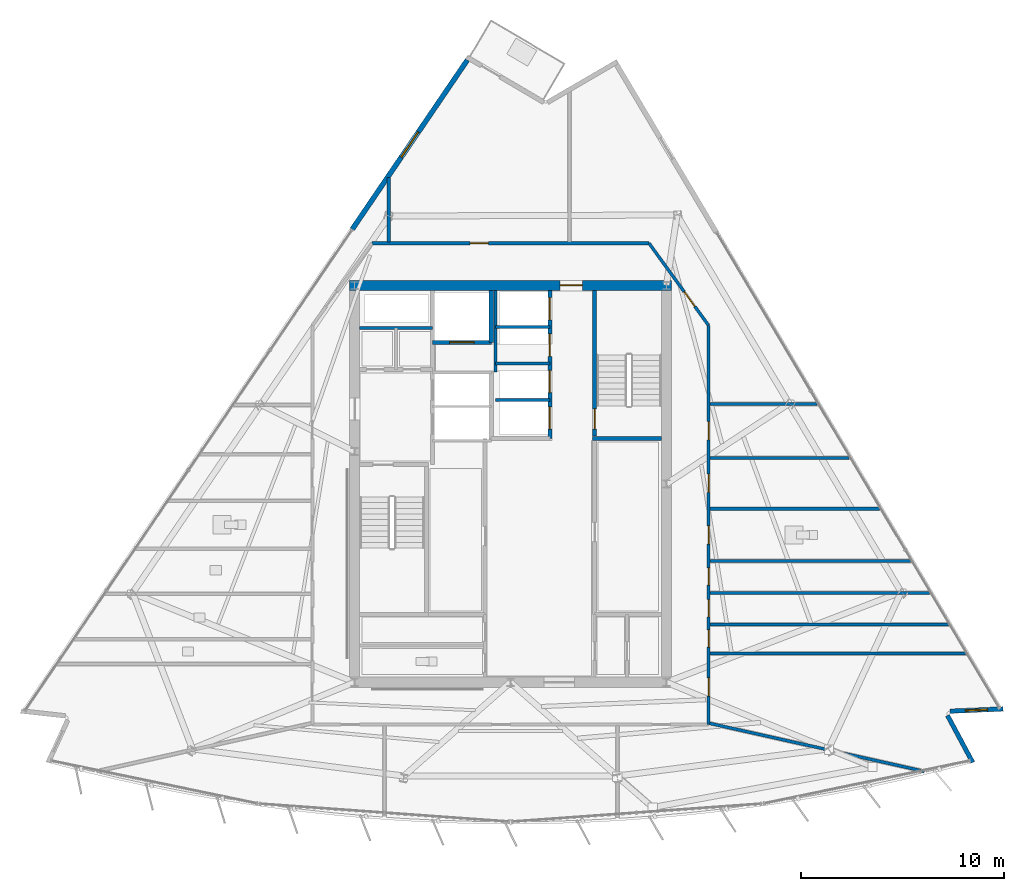
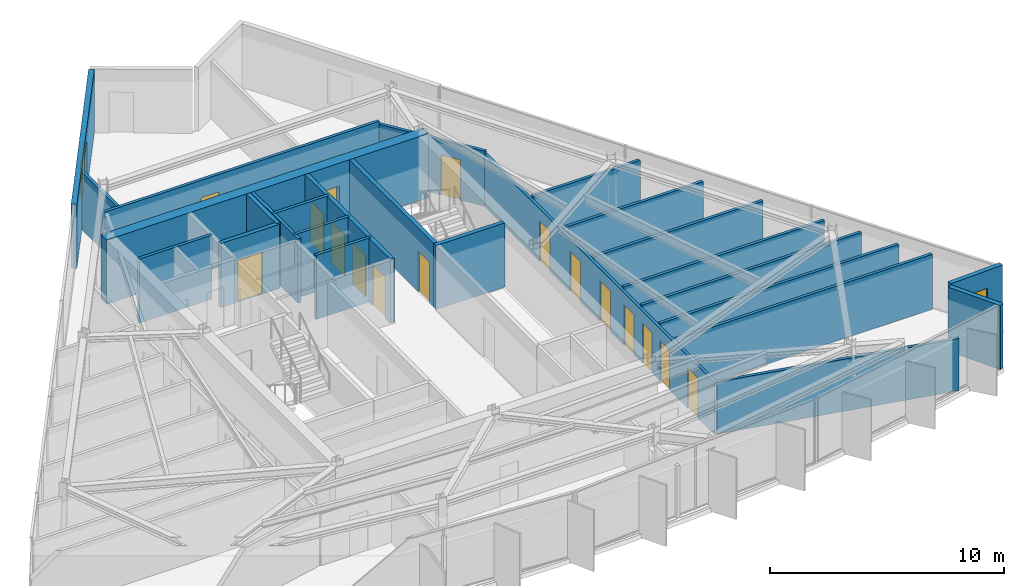
# One storey, part 8 of 13: 26 walls, 16 doors, 2 windows, 18 openings.
"""IFC4 building model written with IfcOpenShell, lengths in metres."""

import ifcopenshell
import ifcopenshell.guid

model = None  # the IFC model being written
_history = None  # IfcOwnerHistory: only IFC2X3 demands one
_inside = {}  # id of a spatial element -> (the spatial element, [elements in it])
_under = {}  # id of a project, library or spatial element -> (it, [spatial elements below it])
_declared = {}  # id of a project -> (the project, [libraries it declares])
_typed = {}  # id of a type object -> (the type object, [elements of that type])
_made_of = {}  # id of a material, layer set ... -> (it, [elements and type objects made of it])


def new_model(schema):
    """Start an empty IFC model of exactly this schema.

    Asked for "IFC4X3", IfcOpenShell would pick the latest addendum, in which some entities
    have other attributes; the version numbers below select the first issue.
    IFC2X3 requires an IfcOwnerHistory on every rooted entity: one is made here for all.
    """
    global model, _history
    if schema == "IFC4X3":
        model = ifcopenshell.file(schema_version=(4, 3, 0, 0))
    else:
        model = ifcopenshell.file(schema=schema)
    _inside.clear()
    _under.clear()
    _declared.clear()
    _typed.clear()
    _made_of.clear()
    _history = None
    if model.schema == "IFC2X3":
        org = make("IfcOrganization", Name="unknown")
        user = make(
            "IfcPersonAndOrganization",
            ThePerson=make("IfcPerson", FamilyName="unknown"),
            TheOrganization=org,
        )
        app = make(
            "IfcApplication",
            ApplicationDeveloper=org,
            Version="unknown",
            ApplicationFullName="unknown",
            ApplicationIdentifier="unknown",
        )
        _history = make(
            "IfcOwnerHistory",
            OwningUser=user,
            OwningApplication=app,
            ChangeAction="ADDED",
            CreationDate=0,
        )
    return model


def make(cls, **values):
    """One entity of the class cls with the attributes given. An attribute that is None is left unset."""
    return model.create_entity(
        cls, **{name: value for name, value in values.items() if value is not None}
    )


def rooted(cls, **values):
    """An entity with a GlobalId (a new one), such as an element, a storey or a relation."""
    return make(cls, GlobalId=ifcopenshell.guid.new(), OwnerHistory=_history, **values)


def si_unit(unit_type, name, prefix=None):
    """IfcSIUnit, for example si_unit("LENGTHUNIT", "METRE", prefix="MILLI")."""
    return make("IfcSIUnit", UnitType=unit_type, Prefix=prefix, Name=name)


def assignment(units):
    """IfcUnitAssignment: the units of a project."""
    return None if units is None else make("IfcUnitAssignment", Units=units)


def point(xyz):
    """IfcCartesianPoint."""
    return None if xyz is None else make("IfcCartesianPoint", Coordinates=xyz)


def direction(xyz):
    """IfcDirection."""
    return None if xyz is None else make("IfcDirection", DirectionRatios=xyz)


def frame(location, z_axis=None, x_axis=None):
    """IfcAxis2Placement3D, a coordinate frame: its origin and axes. An axis left out is left unset."""
    return make(
        "IfcAxis2Placement3D",
        Location=point(location),
        Axis=direction(z_axis),
        RefDirection=direction(x_axis),
    )


def frame_2d(location, x_axis=None):
    """IfcAxis2Placement2D, a coordinate frame in the plane: its origin and x axis."""
    return make(
        "IfcAxis2Placement2D", Location=point(location), RefDirection=direction(x_axis)
    )


def origin():
    """The frame at (0, 0, 0) with its axes left unset."""
    return frame((0.0, 0.0, 0.0))


def place(relative_to, where):
    """IfcLocalPlacement: puts the frame where relative to a parent placement (None: the world)."""
    return make(
        "IfcLocalPlacement", PlacementRelTo=relative_to, RelativePlacement=where
    )


def context(
    kind, dimensions, precision=None, world=None, true_north=None, identifier=None
):
    """IfcGeometricRepresentationContext, for example the 3D "Model" context."""
    return make(
        "IfcGeometricRepresentationContext",
        ContextIdentifier=identifier,
        ContextType=kind,
        CoordinateSpaceDimension=dimensions,
        Precision=precision,
        WorldCoordinateSystem=world,
        TrueNorth=true_north,
    )


def subcontext(parent, identifier, kind, view, scale=None):
    """IfcGeometricRepresentationSubContext, for example "Body" below "Model"."""
    return make(
        "IfcGeometricRepresentationSubContext",
        ContextIdentifier=identifier,
        ContextType=kind,
        ParentContext=parent,
        TargetScale=scale,
        TargetView=view,
    )


def project(units=None, contexts=None):
    """IfcProject with its units and contexts."""
    return rooted(
        "IfcProject",
        Name="project",
        RepresentationContexts=contexts,
        UnitsInContext=assignment(units),
    )


def spatial(cls, under=None, at=None, **own):
    """A site, building, storey or space (cls), placed at a placement, below another one or the project."""
    s = rooted(cls, ObjectPlacement=at, **own)
    if under is not None:
        _under.setdefault(under.id(), (under, []))[1].append(s)
    return s


def profile(cls, at=None, kind="AREA", **sizes):
    """A parametric profile (cls). Its sizes go by their IFC names, for example OverallWidth=200.0."""
    return make(cls, ProfileType=kind, Position=at, **sizes)


def rectangle(**sizes):
    """IfcRectangleProfileDef."""
    return profile("IfcRectangleProfileDef", **sizes)


def extrude(swept, where, along, depth):
    """IfcExtrudedAreaSolid: the profile swept, set in the frame where, extruded along a direction by depth."""
    return make(
        "IfcExtrudedAreaSolid",
        SweptArea=swept,
        Position=where,
        ExtrudedDirection=direction(along),
        Depth=depth,
    )


def shape(context_of_items, identifier, shape_type, items):
    """IfcShapeRepresentation: the items that make up one representation, for example the "Body"."""
    return make(
        "IfcShapeRepresentation",
        ContextOfItems=context_of_items,
        RepresentationIdentifier=identifier,
        RepresentationType=shape_type,
        Items=items,
    )


def material(Name=None, Category=None):
    """IfcMaterial."""
    return make("IfcMaterial", Name=Name, Category=Category)


def layer(
    of_material, thickness, ventilated=None, Name=None, Category=None, Priority=None
):
    """IfcMaterialLayer: one layer of a wall or slab, of a material (None: an air gap)."""
    return make(
        "IfcMaterialLayer",
        Material=of_material,
        LayerThickness=thickness,
        IsVentilated=ventilated,
        Name=Name,
        Category=Category,
        Priority=Priority,
    )


def layer_set(layers, Name=None):
    """IfcMaterialLayerSet."""
    return make("IfcMaterialLayerSet", MaterialLayers=layers, LayerSetName=Name)


def made_of(thing, what):
    """Note that an element or type object is made of a material, layer set ...; save() writes the relation."""
    if what is not None:
        _made_of.setdefault(what.id(), (what, []))[1].append(thing)
    return thing


def type_object(cls, material=None, **own):
    """A type object (cls), such as IfcWallType, which elements share."""
    return made_of(rooted(cls, **own), material)


def element(
    cls,
    number,
    at=None,
    inside=None,
    cuts=None,
    type_object=None,
    material=None,
    context=None,
    identifier="Body",
    shape_type=None,
    held_by="IfcProductDefinitionShape",
    body=None,
    shapes=None,
    **own,
):
    """One element of the class cls, such as IfcWall. Its Tag is "e" and its number.

    at: its placement. inside: the storey or other place that contains it. cuts: it is an
    opening in that element (IfcRelVoidsElement). A single representation is given by context,
    identifier, shape_type and body (its items); several are given by shapes. held_by: the class
    of the entity that holds the representations. save() writes the other relations.
    """
    e = rooted(cls, Tag="e%d" % number, ObjectPlacement=at, **own)
    if body is not None:
        shapes = [shape(context, identifier, shape_type, body)]
    if shapes is not None:
        e.Representation = make(held_by, Representations=shapes)
    if inside is not None:
        _inside.setdefault(inside.id(), (inside, []))[1].append(e)
    if cuts is not None:
        rooted(
            "IfcRelVoidsElement", RelatingBuildingElement=cuts, RelatedOpeningElement=e
        )
    if type_object is not None:
        _typed.setdefault(type_object.id(), (type_object, []))[1].append(e)
    return made_of(e, material)


def fill(opening, filler):
    """IfcRelFillsElement: the door or window that sits in an opening."""
    return rooted(
        "IfcRelFillsElement",
        RelatingOpeningElement=opening,
        RelatedBuildingElement=filler,
    )


def aggregate(whole, parts):
    """IfcRelAggregates: a whole, such as a stair, and the parts it consists of."""
    return rooted("IfcRelAggregates", RelatingObject=whole, RelatedObjects=parts)


def save(model, path):
    """Write the relations noted so far, then the file.

    IfcRelAggregates (storeys below a building ...), IfcRelContainedInSpatialStructure (elements
    in a storey), IfcRelDefinesByType, IfcRelAssociatesMaterial and IfcRelDeclares: one each for
    every whole, place, type object, material and project.
    """
    for whole, parts in _under.values():
        aggregate(whole, parts)
    for where, things in _inside.values():
        rooted(
            "IfcRelContainedInSpatialStructure",
            RelatedElements=things,
            RelatingStructure=where,
        )
    for kind, things in _typed.values():
        rooted("IfcRelDefinesByType", RelatedObjects=things, RelatingType=kind)
    for what, things in _made_of.values():
        rooted("IfcRelAssociatesMaterial", RelatedObjects=things, RelatingMaterial=what)
    for by, libraries in _declared.values():
        rooted("IfcRelDeclares", RelatingContext=by, RelatedDefinitions=libraries)
    model.write(path)


model = new_model("IFC4")

# Units and contexts
model_context = context("Model", 3, precision=1e-05, world=origin(), true_north=direction((0.0, 1.0)))
body_context = subcontext(model_context, "Body", "Model", "MODEL_VIEW")
ifc_project = project(units=[si_unit("LENGTHUNIT", "METRE"), si_unit("AREAUNIT", "SQUARE_METRE"), si_unit("VOLUMEUNIT", "CUBIC_METRE"), si_unit("PLANEANGLEUNIT", "RADIAN"), si_unit("MASSUNIT", "GRAM", prefix="KILO")], contexts=[model_context])

# Site, building, storey
site_placement = place(None, origin())
site = spatial("IfcSite", under=ifc_project, at=site_placement, CompositionType="ELEMENT")
building_placement = place(site_placement, origin())
building = spatial("IfcBuilding", under=site, at=building_placement, Name="Savorim Split Tower", CompositionType="ELEMENT")
storey_placement = place(building_placement, frame((0.0, 0.0, 258.0)))
storey = spatial("IfcBuildingStorey", under=building, at=storey_placement, Name="L68", CompositionType="ELEMENT", Elevation=258.0)

# Wall, opening, door
ifc_material_1 = material(Name="Concrete C60/75", Category="concrete")
ifc_layer_1 = layer(ifc_material_1, 0.5)
ifc_layer_set_1 = layer_set([ifc_layer_1], Name="WAL-COR-SH500")
wall_type_1 = type_object("IfcWallType", Name="WAL-COR-SH500", PredefinedType="SHEAR", material=ifc_layer_set_1)
wall_1_placement = place(storey_placement, frame((7.949951171875, 10.199951171875, 0.0), z_axis=(0.0, 0.0, 1.0), x_axis=(-1.0, 0.0, 0.0)))
wall_1 = element("IfcWall", 1, at=wall_1_placement, inside=storey, type_object=wall_type_1, Name="L68 Offset Core North Shear Wall", PredefinedType="SHEAR", context=body_context, shape_type="SweptSolid", body=[
    extrude(rectangle(XDim=15.89990234375, YDim=0.5, at=frame_2d((7.949951171875, 0.0))), origin(), (0.0, 0.0, 1.0), 3.35009765625),
])
opening_1_placement = place(wall_1_placement, frame((4.39990234375, 0.0, 0.0)))
opening_1 = element("IfcOpeningElement", 2, at=opening_1_placement, cuts=wall_1, Name="Opening DI-03", PredefinedType="OPENING", context=body_context, shape_type="SweptSolid", body=[
    extrude(rectangle(XDim=1.10009765625, YDim=2.14990234375, at=frame_2d((0.550048828125, 1.074951171875))), frame((0.0, 0.260009765625, 0.0), z_axis=(0.0, -1.0, 0.0), x_axis=(1.0, 0.0, 0.0)), (0.0, 0.0, 1.0), 0.52001953125),
])
ifc_material_2 = material(Name="Timber Fire Door Leaf", Category="wood")
door_type_1 = type_object("IfcDoorType", Name="DOR-FIR-1100", OperationType="NOTDEFINED", PredefinedType="DOOR", material=ifc_material_2)
door_1_placement = place(opening_1_placement, origin())
door_1 = element("IfcDoor", 3, at=door_1_placement, inside=storey, type_object=door_type_1, Name="DOR-L68-COR-NLOB - L68 North Corridor Lobby Fire Door", OperationType="SINGLE_SWING_LEFT", OverallHeight=2.14990234375, OverallWidth=1.10009765625, PredefinedType="DOOR", context=body_context, shape_type="SweptSolid", body=[
    extrude(rectangle(XDim=1.10009765625, YDim=2.14990234375, at=frame_2d((0.550048828125, 1.074951171875))), frame((0.0, 0.02490234375, 0.0), z_axis=(0.0, -1.0, 0.0), x_axis=(1.0, 0.0, 0.0)), (0.0, 0.0, 1.0), 0.050048828125),
])
fill(opening_1, door_1)

# Wall
ifc_material_3 = material(Name="Precast concrete C40/50", Category="concrete")
ifc_layer_2 = layer(ifc_material_3, 0.219970703125)
ifc_layer_set_2 = layer_set([ifc_layer_2], Name="WAL-EXT-CRN220")
wall_type_2 = type_object("IfcWallType", Name="WAL-EXT-CRN220", PredefinedType="SOLIDWALL", material=ifc_layer_set_2)
wall_2_placement = place(storey_placement, frame((21.58056640625, -11.03955078125, 0.0), z_axis=(0.0, 0.0, 1.0), x_axis=(0.472791303324, -0.881174434208, 0.0)))
element("IfcWall", 4, at=wall_2_placement, inside=storey, type_object=wall_type_2, Name="L68 Notched Corner Facade Wall SE1", PredefinedType="SOLIDWALL", context=body_context, shape_type="SweptSolid", body=[
    extrude(rectangle(XDim=2.626953125, YDim=0.219970703125, at=frame_2d((1.3134765625, 0.0))), origin(), (0.0, 0.0, 1.0), 3.35009765625),
])

# Wall, opening, window
wall_3_placement = place(storey_placement, frame((24.32421875, -10.71435546875, 0.0), z_axis=(0.0, 0.0, 1.0), x_axis=(-0.999095924753, -0.042512740932, 0.0)))
wall_3 = element("IfcWall", 5, at=wall_3_placement, inside=storey, type_object=wall_type_2, Name="L68 Notched Corner Facade Wall SE", PredefinedType="SOLIDWALL", context=body_context, shape_type="SweptSolid", body=[
    extrude(rectangle(XDim=2.62451171875, YDim=0.219970703125, at=frame_2d((1.312255859375, 0.0))), origin(), (0.0, 0.0, 1.0), 3.35009765625),
])
opening_2_placement = place(wall_3_placement, frame((0.76220703125, 0.0, 0.6201171875)))
opening_2 = element("IfcOpeningElement", 6, at=opening_2_placement, cuts=wall_3, Name="Opening WN-09", PredefinedType="OPENING", context=body_context, shape_type="SweptSolid", body=[
    extrude(rectangle(XDim=1.10009765625, YDim=1.800048828125, at=frame_2d((0.550048828125, 0.89990234375))), frame((0.0, 0.119873046875, 0.0), z_axis=(0.0, -1.0, 0.0), x_axis=(1.0, 0.0, 0.0)), (0.0, 0.0, 1.0), 0.239990234375),
])
ifc_material_4 = material(Name="Low-E Operable Double Glazing", Category="glass")
window_type_1 = type_object("IfcWindowType", Name="WIN-TWR-1100x1800", PartitioningType="SINGLE_PANEL", PredefinedType="WINDOW", material=ifc_material_4)
window_1_placement = place(opening_2_placement, origin())
window_1 = element("IfcWindow", 7, at=window_1_placement, inside=storey, type_object=window_type_1, Name="L68 Operable Corner Window SE", OverallHeight=1.800048828125, OverallWidth=1.10009765625, PartitioningType="SINGLE_PANEL", PredefinedType="WINDOW", context=body_context, shape_type="SweptSolid", body=[
    extrude(rectangle(XDim=1.10009765625, YDim=1.800048828125, at=frame_2d((0.550048828125, 0.89990234375))), frame((0.0, 0.030029296875, 0.0), z_axis=(0.0, -1.0, 0.0), x_axis=(1.0, 0.0, 0.0)), (0.0, 0.0, 1.0), 0.06005859375),
])
fill(opening_2, window_1)

ifc_layer_3 = layer(ifc_material_3, 0.25)
ifc_layer_set_3 = layer_set([ifc_layer_3], Name="WAL-EXT-SPN250")
wall_type_3 = type_object("IfcWallType", Name="WAL-EXT-SPN250", PredefinedType="SOLIDWALL", material=ifc_layer_set_3)
wall_4_placement = place(storey_placement, frame((-7.81689453125, 12.970947265625, 0.0), z_axis=(0.0, 0.0, 1.0), x_axis=(0.562474530687, 0.826814611826, 0.0)))
wall_4 = element("IfcWall", 8, at=wall_4_placement, inside=storey, type_object=wall_type_3, Name="L68 West Operable Window Pier", PredefinedType="SOLIDWALL", context=body_context, shape_type="SweptSolid", body=[
    extrude(rectangle(XDim=10.106689453125, YDim=0.25, at=frame_2d((5.05322265625, 0.0))), origin(), (0.0, 0.0, 1.0), 3.35009765625),
])
opening_3_placement = place(wall_4_placement, frame((4.303466796875, 0.0, 0.6201171875)))
opening_3 = element("IfcOpeningElement", 9, at=opening_3_placement, cuts=wall_4, Name="Opening WN-06", PredefinedType="OPENING", context=body_context, shape_type="SweptSolid", body=[
    extrude(rectangle(XDim=1.5, YDim=2.0, at=frame_2d((0.75, 1.0))), frame((0.0, 0.135009765625, 0.0), z_axis=(0.0, -1.0, 0.0), x_axis=(1.0, 0.0, 0.0)), (0.0, 0.0, 1.0), 0.27001953125),
])
window_type_2 = type_object("IfcWindowType", Name="WIN-TWR-1500x2000", PartitioningType="SINGLE_PANEL", PredefinedType="WINDOW", material=ifc_material_4)
window_2_placement = place(opening_3_placement, origin())
window_2 = element("IfcWindow", 10, at=window_2_placement, inside=storey, type_object=window_type_2, Name="L68 West Operable Ventilation Window", OverallHeight=2.0, OverallWidth=1.5, PartitioningType="SINGLE_PANEL", PredefinedType="WINDOW", context=body_context, shape_type="SweptSolid", body=[
    extrude(rectangle(XDim=1.5, YDim=2.0, at=frame_2d((0.75, 1.0))), frame((0.0, 0.030029296875, 0.0), z_axis=(0.0, -1.0, 0.0), x_axis=(1.0, 0.0, 0.0)), (0.0, 0.0, 1.0), 0.06005859375),
])
fill(opening_3, window_2)

# Wall, opening, door
ifc_material_5 = material(Name="Concrete C50/60", Category="concrete")
ifc_layer_4 = layer(ifc_material_5, 0.199951171875)
ifc_layer_set_4 = layer_set([ifc_layer_4], Name="WAL-INT-RC200")
wall_type_4 = type_object("IfcWallType", Name="WAL-INT-RC200", PredefinedType="SOLIDWALL", material=ifc_layer_set_4)
wall_5_placement = place(storey_placement, frame((4.14990234375, 2.75, 0.0), z_axis=(0.0, 0.0, 1.0), x_axis=(0.0, 1.0, 0.0)))
wall_5 = element("IfcWall", 11, at=wall_5_placement, inside=storey, type_object=wall_type_4, Name="L68 Structural Shaft Wall W-L68-CR07", PredefinedType="SOLIDWALL", context=body_context, shape_type="SweptSolid", body=[
    extrude(rectangle(XDim=7.199951171875, YDim=0.199951171875, at=frame_2d((3.60009765625, 0.0))), origin(), (0.0, 0.0, 1.0), 3.35009765625),
])
opening_4_placement = place(wall_5_placement, frame((0.35009765625, 0.0, 0.0)))
opening_4 = element("IfcOpeningElement", 12, at=opening_4_placement, cuts=wall_5, Name="Opening DI-04", PredefinedType="OPENING", context=body_context, shape_type="SweptSolid", body=[
    extrude(rectangle(XDim=1.0, YDim=2.14990234375, at=frame_2d((0.5, 1.074951171875))), frame((0.0, 0.10986328125, 0.0), z_axis=(0.0, -1.0, 0.0), x_axis=(1.0, 0.0, 0.0)), (0.0, 0.0, 1.0), 0.219970703125),
])
door_type_2 = type_object("IfcDoorType", Name="DOR-FIR-1000", OperationType="NOTDEFINED", PredefinedType="DOOR", material=ifc_material_2)
door_2_placement = place(opening_4_placement, origin())
door_2 = element("IfcDoor", 13, at=door_2_placement, inside=storey, type_object=door_type_2, Name="DR-L68-ST2 - L68 Stair ST-2 Enclosure Door", OperationType="SINGLE_SWING_RIGHT", OverallHeight=2.14990234375, OverallWidth=1.0, PredefinedType="DOOR", context=body_context, shape_type="SweptSolid", body=[
    extrude(rectangle(XDim=1.0, YDim=2.14990234375, at=frame_2d((0.5, 1.074951171875))), frame((0.0, 0.02490234375, 0.0), z_axis=(0.0, -1.0, 0.0), x_axis=(1.0, 0.0, 0.0)), (0.0, 0.0, 1.0), 0.050048828125),
])
fill(opening_4, door_2)

# Wall
wall_6_placement = place(storey_placement, frame((4.050048828125, 2.64990234375, 0.0), z_axis=(0.0, 0.0, 1.0), x_axis=(1.0, 0.0, 0.0)))
element("IfcWall", 14, at=wall_6_placement, inside=storey, type_object=wall_type_4, Name="L68 Structural Shaft Wall W-L68-CR08", PredefinedType="SOLIDWALL", context=body_context, shape_type="SweptSolid", body=[
    extrude(rectangle(XDim=3.39990234375, YDim=0.199951171875, at=frame_2d((1.699951171875, 0.0))), origin(), (0.0, 0.0, 1.0), 3.35009765625),
])

# Wall, opening, door
wall_7_placement = place(storey_placement, frame((-3.85009765625, 7.3798828125, 0.0), z_axis=(0.0, 0.0, 1.0), x_axis=(1.0, 0.0, 0.0)))
wall_7 = element("IfcWall", 15, at=wall_7_placement, inside=storey, type_object=wall_type_4, Name="L68 Partition W-L68-SVLS", PredefinedType="SOLIDWALL", context=body_context, shape_type="SweptSolid", body=[
    extrude(rectangle(XDim=2.900146484375, YDim=0.199951171875, at=frame_2d((1.4501953125, 0.0))), origin(), (0.0, 0.0, 1.0), 3.35009765625),
])
opening_5_placement = place(wall_7_placement, frame((0.85009765625, 0.0, 0.0)))
opening_5 = element("IfcOpeningElement", 16, at=opening_5_placement, cuts=wall_7, Name="Opening LD-SV", PredefinedType="OPENING", context=body_context, shape_type="SweptSolid", body=[
    extrude(rectangle(XDim=1.199951171875, YDim=2.199951171875, at=frame_2d((0.60009765625, 1.10009765625))), frame((0.0, 0.10986328125, 0.0), z_axis=(0.0, -1.0, 0.0), x_axis=(1.0, 0.0, 0.0)), (0.0, 0.0, 1.0), 0.219970703125),
])
ifc_material_6 = material(Name="Charcoal Anodised Aluminium", Category="aluminium")
door_type_3 = type_object("IfcDoorType", Name="DOR-SLD-SV1200", OperationType="NOTDEFINED", PredefinedType="DOOR", material=ifc_material_6)
door_3_placement = place(opening_5_placement, origin())
door_3 = element("IfcDoor", 17, at=door_3_placement, inside=storey, type_object=door_type_3, Name="DR-L68-LD-SVL1 - L68 Service Lift SVL-1 Sliding Landing Door", OperationType="DOUBLE_DOOR_SLIDING", OverallHeight=2.199951171875, OverallWidth=1.199951171875, PredefinedType="DOOR", context=body_context, shape_type="SweptSolid", body=[
    extrude(rectangle(XDim=1.199951171875, YDim=2.199951171875, at=frame_2d((0.60009765625, 1.10009765625))), frame((0.0, 0.02490234375, 0.0), z_axis=(0.0, -1.0, 0.0), x_axis=(1.0, 0.0, 0.0)), (0.0, 0.0, 1.0), 0.050048828125),
])
fill(opening_5, door_3)

# Wall
wall_8_placement = place(storey_placement, frame((-0.949951171875, 7.3798828125, 0.0), z_axis=(0.0, 0.0, 1.0), x_axis=(0.0, 1.0, 0.0)))
element("IfcWall", 18, at=wall_8_placement, inside=storey, type_object=wall_type_4, Name="L68 Partition W-L68-SVLE", PredefinedType="SOLIDWALL", context=body_context, shape_type="SweptSolid", body=[
    extrude(rectangle(XDim=2.565185546875, YDim=0.199951171875, at=frame_2d((1.28271484375, 0.0))), origin(), (0.0, 0.0, 1.0), 3.35009765625),
])

# Wall, openings, doors
wall_9_placement = place(storey_placement, frame((1.949951171875, 2.64990234375, 0.0), z_axis=(0.0, 0.0, 1.0), x_axis=(0.0, 1.0, 0.0)))
wall_9 = element("IfcWall", 19, at=wall_9_placement, inside=storey, type_object=wall_type_4, Name="L68 Partition W-L68-B3FRONT", PredefinedType="SOLIDWALL", context=body_context, shape_type="SweptSolid", body=[
    extrude(rectangle(XDim=7.295166015625, YDim=0.199951171875, at=frame_2d((3.6474609375, 0.0))), origin(), (0.0, 0.0, 1.0), 3.35009765625),
])
opening_6_placement = place(wall_9_placement, frame((0.449951171875, 0.0, 0.0)))
opening_6 = element("IfcOpeningElement", 20, at=opening_6_placement, cuts=wall_9, Name="Opening LD-03", PredefinedType="OPENING", context=body_context, shape_type="SweptSolid", body=[
    extrude(rectangle(XDim=1.10009765625, YDim=2.14990234375, at=frame_2d((0.550048828125, 1.074951171875))), frame((0.0, 0.10986328125, 0.0), z_axis=(0.0, -1.0, 0.0), x_axis=(1.0, 0.0, 0.0)), (0.0, 0.0, 1.0), 0.219970703125),
])
opening_7_placement = place(wall_9_placement, frame((2.25, 0.0, 0.0)))
opening_7 = element("IfcOpeningElement", 21, at=opening_7_placement, cuts=wall_9, Name="Opening LD-03", PredefinedType="OPENING", context=body_context, shape_type="SweptSolid", body=[
    extrude(rectangle(XDim=1.10009765625, YDim=2.14990234375, at=frame_2d((0.550048828125, 1.074951171875))), frame((0.0, 0.10986328125, 0.0), z_axis=(0.0, -1.0, 0.0), x_axis=(1.0, 0.0, 0.0)), (0.0, 0.0, 1.0), 0.219970703125),
])
opening_8_placement = place(wall_9_placement, frame((4.050048828125, 0.0, 0.0)))
opening_8 = element("IfcOpeningElement", 22, at=opening_8_placement, cuts=wall_9, Name="Opening LD-03", PredefinedType="OPENING", context=body_context, shape_type="SweptSolid", body=[
    extrude(rectangle(XDim=1.10009765625, YDim=2.14990234375, at=frame_2d((0.550048828125, 1.074951171875))), frame((0.0, 0.10986328125, 0.0), z_axis=(0.0, -1.0, 0.0), x_axis=(1.0, 0.0, 0.0)), (0.0, 0.0, 1.0), 0.219970703125),
])
opening_9_placement = place(wall_9_placement, frame((5.85009765625, 0.0, 0.0)))
opening_9 = element("IfcOpeningElement", 23, at=opening_9_placement, cuts=wall_9, Name="Opening LD-03", PredefinedType="OPENING", context=body_context, shape_type="SweptSolid", body=[
    extrude(rectangle(XDim=1.10009765625, YDim=2.14990234375, at=frame_2d((0.550048828125, 1.074951171875))), frame((0.0, 0.10986328125, 0.0), z_axis=(0.0, -1.0, 0.0), x_axis=(1.0, 0.0, 0.0)), (0.0, 0.0, 1.0), 0.219970703125),
])
door_type_4 = type_object("IfcDoorType", Name="DOR-SLD-LDH1100", OperationType="NOTDEFINED", PredefinedType="DOOR", material=ifc_material_6)
door_4_placement = place(opening_6_placement, origin())
door_4 = element("IfcDoor", 24, at=door_4_placement, inside=storey, type_object=door_type_4, Name="DR-L68-LD-PLH1 - L68 Lift PL-H1 Sliding Landing Door", OperationType="DOUBLE_DOOR_SLIDING", OverallHeight=2.14990234375, OverallWidth=1.10009765625, PredefinedType="DOOR", context=body_context, shape_type="SweptSolid", body=[
    extrude(rectangle(XDim=1.10009765625, YDim=2.14990234375, at=frame_2d((0.550048828125, 1.074951171875))), frame((0.0, 0.02490234375, 0.0), z_axis=(0.0, -1.0, 0.0), x_axis=(1.0, 0.0, 0.0)), (0.0, 0.0, 1.0), 0.050048828125),
])
fill(opening_6, door_4)
door_5_placement = place(opening_7_placement, origin())
door_5 = element("IfcDoor", 25, at=door_5_placement, inside=storey, type_object=door_type_4, Name="DR-L68-LD-PLH2 - L68 Lift PL-H2 Sliding Landing Door", OperationType="DOUBLE_DOOR_SLIDING", OverallHeight=2.14990234375, OverallWidth=1.10009765625, PredefinedType="DOOR", context=body_context, shape_type="SweptSolid", body=[
    extrude(rectangle(XDim=1.10009765625, YDim=2.14990234375, at=frame_2d((0.550048828125, 1.074951171875))), frame((0.0, 0.02490234375, 0.0), z_axis=(0.0, -1.0, 0.0), x_axis=(1.0, 0.0, 0.0)), (0.0, 0.0, 1.0), 0.050048828125),
])
fill(opening_7, door_5)
door_6_placement = place(opening_8_placement, origin())
door_6 = element("IfcDoor", 26, at=door_6_placement, inside=storey, type_object=door_type_4, Name="DR-L68-LD-PLH3 - L68 Lift PL-H3 Sliding Landing Door", OperationType="DOUBLE_DOOR_SLIDING", OverallHeight=2.14990234375, OverallWidth=1.10009765625, PredefinedType="DOOR", context=body_context, shape_type="SweptSolid", body=[
    extrude(rectangle(XDim=1.10009765625, YDim=2.14990234375, at=frame_2d((0.550048828125, 1.074951171875))), frame((0.0, 0.02490234375, 0.0), z_axis=(0.0, -1.0, 0.0), x_axis=(1.0, 0.0, 0.0)), (0.0, 0.0, 1.0), 0.050048828125),
])
fill(opening_8, door_6)
door_7_placement = place(opening_9_placement, origin())
door_7 = element("IfcDoor", 27, at=door_7_placement, inside=storey, type_object=door_type_4, Name="DR-L68-LD-PLH4 - L68 Lift PL-H4 Sliding Landing Door", OperationType="DOUBLE_DOOR_SLIDING", OverallHeight=2.14990234375, OverallWidth=1.10009765625, PredefinedType="DOOR", context=body_context, shape_type="SweptSolid", body=[
    extrude(rectangle(XDim=1.10009765625, YDim=2.14990234375, at=frame_2d((0.550048828125, 1.074951171875))), frame((0.0, 0.02490234375, 0.0), z_axis=(0.0, -1.0, 0.0), x_axis=(1.0, 0.0, 0.0)), (0.0, 0.0, 1.0), 0.050048828125),
])
fill(opening_9, door_7)

# Walls
ifc_material_7 = material(Name="Acoustic Gypsum Partition Board")
ifc_layer_5 = layer(ifc_material_7, 0.14990234375)
ifc_layer_set_5 = layer_set([ifc_layer_5], Name="WAL-PAR-150")
wall_type_5 = type_object("IfcWallType", Name="WAL-PAR-150", PredefinedType="PARTITIONING", material=ifc_layer_set_5)
wall_10_placement = place(storey_placement, frame((-7.445068359375, 8.10009765625, 0.0), z_axis=(0.0, 0.0, 1.0), x_axis=(1.0, 0.0, 0.0)))
element("IfcWall", 28, at=wall_10_placement, inside=storey, type_object=wall_type_5, Name="L68 Partition W-L68-CR05", PredefinedType="PARTITIONING", context=body_context, shape_type="SweptSolid", body=[
    extrude(rectangle(XDim=3.594970703125, YDim=0.14990234375, at=frame_2d((1.79736328125, 0.0))), origin(), (0.0, 0.0, 1.0), 3.35009765625),
])
wall_11_placement = place(storey_placement, frame((-0.75, 5.919921875, 0.0), z_axis=(0.0, 0.0, 1.0), x_axis=(0.0, 1.0, 0.0)))
element("IfcWall", 29, at=wall_11_placement, inside=storey, type_object=wall_type_5, Name="L68 Partition W-L68-B3WEST", PredefinedType="PARTITIONING", context=body_context, shape_type="SweptSolid", body=[
    extrude(rectangle(XDim=4.025146484375, YDim=0.14990234375, at=frame_2d((2.0126953125, 0.0))), origin(), (0.0, 0.0, 1.0), 3.35009765625),
])
for number, where, z_axis, x_axis, name in (
    (30, (-0.75, 4.550048828125, 0.0), (0.0, 0.0, 1.0), (1.0, 0.0, 0.0), "L68 Partition W-L68-B3DIV1"),
    (31, (-0.75, 6.35009765625, 0.0), (0.0, 0.0, 1.0), (1.0, 0.0, 0.0), "L68 Partition W-L68-B3DIV2"),
    (32, (-0.75, 8.14990234375, 0.0), (0.0, 0.0, 1.0), (1.0, 0.0, 0.0), "L68 Partition W-L68-B3DIV3"),
):
    element("IfcWall", number, at=place(storey_placement, frame(where, z_axis=z_axis, x_axis=x_axis)), inside=storey, type_object=wall_type_5, Name=name, PredefinedType="PARTITIONING", context=body_context, shape_type="SweptSolid", body=[
        extrude(rectangle(XDim=2.699951171875, YDim=0.14990234375, at=frame_2d((1.35009765625, 0.0))), origin(), (0.0, 0.0, 1.0), 3.35009765625),
    ])

# Wall, opening, door
wall_12_placement = place(storey_placement, frame((-6.8408203125, 12.280029296875, 0.0), z_axis=(0.0, 0.0, 1.0), x_axis=(1.0, 0.0, 0.0)))
wall_12 = element("IfcWall", 33, at=wall_12_placement, inside=storey, type_object=wall_type_5, Name="L68 Partition W-L68-COR-03", PredefinedType="PARTITIONING", context=body_context, shape_type="SweptSolid", body=[
    extrude(rectangle(XDim=13.681640625, YDim=0.14990234375, at=frame_2d((6.8408203125, 0.0))), origin(), (0.0, 0.0, 1.0), 3.014892578125),
])
opening_10_placement = place(wall_12_placement, frame((4.845458984375, 0.0, 0.0)))
opening_10 = element("IfcOpeningElement", 34, at=opening_10_placement, cuts=wall_12, Name="Opening DI-06", PredefinedType="OPENING", context=body_context, shape_type="SweptSolid", body=[
    extrude(rectangle(XDim=0.89990234375, YDim=2.10009765625, at=frame_2d((0.449951171875, 1.050048828125))), frame((0.0, 0.0849609375, 0.0), z_axis=(0.0, -1.0, 0.0), x_axis=(1.0, 0.0, 0.0)), (0.0, 0.0, 1.0), 0.169921875),
])
door_type_5 = type_object("IfcDoorType", Name="DOR-FIR-900", OperationType="NOTDEFINED", PredefinedType="DOOR", material=ifc_material_2)
door_8_placement = place(opening_10_placement, origin())
door_8 = element("IfcDoor", 35, at=door_8_placement, inside=storey, type_object=door_type_5, Name="DR-L68-RM17 - L68 Co-Working Commons Entry Door", OperationType="SINGLE_SWING_RIGHT", OverallHeight=2.10009765625, OverallWidth=0.89990234375, PredefinedType="DOOR", context=body_context, shape_type="SweptSolid", body=[
    extrude(rectangle(XDim=0.89990234375, YDim=2.10009765625, at=frame_2d((0.449951171875, 1.050048828125))), frame((0.0, 0.02490234375, 0.0), z_axis=(0.0, -1.0, 0.0), x_axis=(1.0, 0.0, 0.0)), (0.0, 0.0, 1.0), 0.050048828125),
])
fill(opening_10, door_8)

wall_13_placement = place(storey_placement, frame((6.8408203125, 12.280029296875, 0.0), z_axis=(0.0, 0.0, 1.0), x_axis=(0.586956386413, -0.809618552436, 0.0)))
wall_13 = element("IfcWall", 36, at=wall_13_placement, inside=storey, type_object=wall_type_5, Name="L68 Partition W-L68-COR-04", PredefinedType="PARTITIONING", context=body_context, shape_type="SweptSolid", body=[
    extrude(rectangle(XDim=5.007568359375, YDim=0.14990234375, at=frame_2d((2.50390625, 0.0))), origin(), (0.0, 0.0, 1.0), 2.875),
])
opening_11_placement = place(wall_13_placement, frame((2.95361328125, 0.0, 0.0)))
opening_11 = element("IfcOpeningElement", 37, at=opening_11_placement, cuts=wall_13, Name="Opening DI-06", PredefinedType="OPENING", context=body_context, shape_type="SweptSolid", body=[
    extrude(rectangle(XDim=0.89990234375, YDim=2.10009765625, at=frame_2d((0.449951171875, 1.050048828125))), frame((0.0, 0.0849609375, 0.0), z_axis=(0.0, -1.0, 0.0), x_axis=(1.0, 0.0, 0.0)), (0.0, 0.0, 1.0), 0.169921875),
])
door_9_placement = place(opening_11_placement, origin())
door_9 = element("IfcDoor", 38, at=door_9_placement, inside=storey, type_object=door_type_5, Name="DR-L68-RM16 - L68 Maker Workshop Entry Door", OperationType="SINGLE_SWING_LEFT", OverallHeight=2.10009765625, OverallWidth=0.89990234375, PredefinedType="DOOR", context=body_context, shape_type="SweptSolid", body=[
    extrude(rectangle(XDim=0.89990234375, YDim=2.10009765625, at=frame_2d((0.449951171875, 1.050048828125))), frame((0.0, 0.02490234375, 0.0), z_axis=(0.0, -1.0, 0.0), x_axis=(1.0, 0.0, 0.0)), (0.0, 0.0, 1.0), 0.050048828125),
])
fill(opening_11, door_9)

# Wall, openings, doors
wall_14_placement = place(storey_placement, frame((9.780029296875, 8.225830078125, 0.0), z_axis=(0.0, 0.0, 1.0), x_axis=(0.0, -1.0, 0.0)))
wall_14 = element("IfcWall", 39, at=wall_14_placement, inside=storey, type_object=wall_type_5, Name="L68 Partition W-L68-COR-05", PredefinedType="PARTITIONING", context=body_context, shape_type="SweptSolid", body=[
    extrude(rectangle(XDim=19.705810546875, YDim=0.14990234375, at=frame_2d((9.85302734375, 0.0))), origin(), (0.0, 0.0, 1.0), 2.72509765625),
])
opening_12_placement = place(wall_14_placement, frame((17.412353515625, 0.0, 0.0)))
opening_12 = element("IfcOpeningElement", 40, at=opening_12_placement, cuts=wall_14, Name="Opening DI-06", PredefinedType="OPENING", context=body_context, shape_type="SweptSolid", body=[
    extrude(rectangle(XDim=0.89990234375, YDim=2.10009765625, at=frame_2d((0.449951171875, 1.050048828125))), frame((0.0, 0.0849609375, 0.0), z_axis=(0.0, -1.0, 0.0), x_axis=(1.0, 0.0, 0.0)), (0.0, 0.0, 1.0), 0.169921875),
])
opening_13_placement = place(wall_14_placement, frame((15.03564453125, 0.0, 0.0)))
opening_13 = element("IfcOpeningElement", 41, at=opening_13_placement, cuts=wall_14, Name="Opening DI-13", PredefinedType="OPENING", context=body_context, shape_type="SweptSolid", body=[
    extrude(rectangle(XDim=0.85009765625, YDim=2.10009765625, at=frame_2d((0.425048828125, 1.050048828125))), frame((0.0, 0.0849609375, 0.0), z_axis=(0.0, -1.0, 0.0), x_axis=(1.0, 0.0, 0.0)), (0.0, 0.0, 1.0), 0.169921875),
])
opening_14_placement = place(wall_14_placement, frame((13.539794921875, 0.0, 0.0)))
opening_14 = element("IfcOpeningElement", 42, at=opening_14_placement, cuts=wall_14, Name="Opening DI-13", PredefinedType="OPENING", context=body_context, shape_type="SweptSolid", body=[
    extrude(rectangle(XDim=0.85009765625, YDim=2.10009765625, at=frame_2d((0.425048828125, 1.050048828125))), frame((0.0, 0.0849609375, 0.0), z_axis=(0.0, -1.0, 0.0), x_axis=(1.0, 0.0, 0.0)), (0.0, 0.0, 1.0), 0.169921875),
])
opening_15_placement = place(wall_14_placement, frame((11.974853515625, 0.0, 0.0)))
opening_15 = element("IfcOpeningElement", 43, at=opening_15_placement, cuts=wall_14, Name="Opening DI-13", PredefinedType="OPENING", context=body_context, shape_type="SweptSolid", body=[
    extrude(rectangle(XDim=0.85009765625, YDim=2.10009765625, at=frame_2d((0.425048828125, 1.050048828125))), frame((0.0, 0.0849609375, 0.0), z_axis=(0.0, -1.0, 0.0), x_axis=(1.0, 0.0, 0.0)), (0.0, 0.0, 1.0), 0.169921875),
])
opening_16_placement = place(wall_14_placement, frame((9.899658203125, 0.0, 0.0)))
opening_16 = element("IfcOpeningElement", 44, at=opening_16_placement, cuts=wall_14, Name="Opening DI-11", PredefinedType="OPENING", context=body_context, shape_type="SweptSolid", body=[
    extrude(rectangle(XDim=0.89990234375, YDim=2.10009765625, at=frame_2d((0.449951171875, 1.050048828125))), frame((0.0, 0.0849609375, 0.0), z_axis=(0.0, -1.0, 0.0), x_axis=(1.0, 0.0, 0.0)), (0.0, 0.0, 1.0), 0.169921875),
])
opening_17_placement = place(wall_14_placement, frame((7.346923828125, 0.0, 0.0)))
opening_17 = element("IfcOpeningElement", 45, at=opening_17_placement, cuts=wall_14, Name="Opening DI-06", PredefinedType="OPENING", context=body_context, shape_type="SweptSolid", body=[
    extrude(rectangle(XDim=0.89990234375, YDim=2.10009765625, at=frame_2d((0.449951171875, 1.050048828125))), frame((0.0, 0.0849609375, 0.0), z_axis=(0.0, -1.0, 0.0), x_axis=(1.0, 0.0, 0.0)), (0.0, 0.0, 1.0), 0.169921875),
])
opening_18_placement = place(wall_14_placement, frame((4.7578125, 0.0, 0.0)))
opening_18 = element("IfcOpeningElement", 46, at=opening_18_placement, cuts=wall_14, Name="Opening DI-06", PredefinedType="OPENING", context=body_context, shape_type="SweptSolid", body=[
    extrude(rectangle(XDim=0.89990234375, YDim=2.10009765625, at=frame_2d((0.449951171875, 1.050048828125))), frame((0.0, 0.0849609375, 0.0), z_axis=(0.0, -1.0, 0.0), x_axis=(1.0, 0.0, 0.0)), (0.0, 0.0, 1.0), 0.169921875),
])
door_type_6 = type_object("IfcDoorType", Name="DOR-FIR-850", OperationType="NOTDEFINED", PredefinedType="DOOR", material=ifc_material_2)
door_10_placement = place(opening_13_placement, origin())
door_10 = element("IfcDoor", 47, at=door_10_placement, inside=storey, type_object=door_type_6, Name="DR-L68-RM10 - L68 Co-Living Bedroom Entry Door", OperationType="SINGLE_SWING_LEFT", OverallHeight=2.10009765625, OverallWidth=0.85009765625, PredefinedType="DOOR", context=body_context, shape_type="SweptSolid", body=[
    extrude(rectangle(XDim=0.85009765625, YDim=2.10009765625, at=frame_2d((0.425048828125, 1.050048828125))), frame((0.0, 0.02490234375, 0.0), z_axis=(0.0, -1.0, 0.0), x_axis=(1.0, 0.0, 0.0)), (0.0, 0.0, 1.0), 0.050048828125),
])
fill(opening_13, door_10)
door_11_placement = place(opening_14_placement, origin())
door_11 = element("IfcDoor", 48, at=door_11_placement, inside=storey, type_object=door_type_6, Name="DR-L68-RM11 - L68 Quiet Study Room Entry Door", OperationType="SINGLE_SWING_RIGHT", OverallHeight=2.10009765625, OverallWidth=0.85009765625, PredefinedType="DOOR", context=body_context, shape_type="SweptSolid", body=[
    extrude(rectangle(XDim=0.85009765625, YDim=2.10009765625, at=frame_2d((0.425048828125, 1.050048828125))), frame((0.0, 0.02490234375, 0.0), z_axis=(0.0, -1.0, 0.0), x_axis=(1.0, 0.0, 0.0)), (0.0, 0.0, 1.0), 0.050048828125),
])
fill(opening_14, door_11)
door_12_placement = place(opening_15_placement, origin())
door_12 = element("IfcDoor", 49, at=door_12_placement, inside=storey, type_object=door_type_6, Name="DR-L68-RM12 - L68 Quiet Study Room Entry Door", OperationType="SINGLE_SWING_LEFT", OverallHeight=2.10009765625, OverallWidth=0.85009765625, PredefinedType="DOOR", context=body_context, shape_type="SweptSolid", body=[
    extrude(rectangle(XDim=0.85009765625, YDim=2.10009765625, at=frame_2d((0.425048828125, 1.050048828125))), frame((0.0, 0.02490234375, 0.0), z_axis=(0.0, -1.0, 0.0), x_axis=(1.0, 0.0, 0.0)), (0.0, 0.0, 1.0), 0.050048828125),
])
fill(opening_15, door_12)
door_13_placement = place(opening_12_placement, origin())
door_13 = element("IfcDoor", 50, at=door_13_placement, inside=storey, type_object=door_type_5, Name="DR-L68-RM09 - L68 Co-Working Commons Entry Door", OperationType="SINGLE_SWING_RIGHT", OverallHeight=2.10009765625, OverallWidth=0.89990234375, PredefinedType="DOOR", context=body_context, shape_type="SweptSolid", body=[
    extrude(rectangle(XDim=0.89990234375, YDim=2.10009765625, at=frame_2d((0.449951171875, 1.050048828125))), frame((0.0, 0.02490234375, 0.0), z_axis=(0.0, -1.0, 0.0), x_axis=(1.0, 0.0, 0.0)), (0.0, 0.0, 1.0), 0.050048828125),
])
fill(opening_12, door_13)
door_14_placement = place(opening_17_placement, origin())
door_14 = element("IfcDoor", 51, at=door_14_placement, inside=storey, type_object=door_type_5, Name="DR-L68-RM14 - L68 Co-Living Bedroom Entry Door", OperationType="SINGLE_SWING_LEFT", OverallHeight=2.10009765625, OverallWidth=0.89990234375, PredefinedType="DOOR", context=body_context, shape_type="SweptSolid", body=[
    extrude(rectangle(XDim=0.89990234375, YDim=2.10009765625, at=frame_2d((0.449951171875, 1.050048828125))), frame((0.0, 0.02490234375, 0.0), z_axis=(0.0, -1.0, 0.0), x_axis=(1.0, 0.0, 0.0)), (0.0, 0.0, 1.0), 0.050048828125),
])
fill(opening_17, door_14)
door_15_placement = place(opening_18_placement, origin())
door_15 = element("IfcDoor", 52, at=door_15_placement, inside=storey, type_object=door_type_5, Name="DR-L68-RM15 - L68 Quiet Study Room Entry Door", OperationType="SINGLE_SWING_RIGHT", OverallHeight=2.10009765625, OverallWidth=0.89990234375, PredefinedType="DOOR", context=body_context, shape_type="SweptSolid", body=[
    extrude(rectangle(XDim=0.89990234375, YDim=2.10009765625, at=frame_2d((0.449951171875, 1.050048828125))), frame((0.0, 0.02490234375, 0.0), z_axis=(0.0, -1.0, 0.0), x_axis=(1.0, 0.0, 0.0)), (0.0, 0.0, 1.0), 0.050048828125),
])
fill(opening_18, door_15)
ifc_material_8 = material(Name="Oak Veneer Acoustic Door")
door_type_7 = type_object("IfcDoorType", Name="DOR-WC-900", OperationType="NOTDEFINED", PredefinedType="DOOR", material=ifc_material_8)
door_16_placement = place(opening_16_placement, origin())
door_16 = element("IfcDoor", 53, at=door_16_placement, inside=storey, type_object=door_type_7, Name="DR-L68-RM13 - L68 Shared Bathroom Entry Door", OperationType="SINGLE_SWING_RIGHT", OverallHeight=2.10009765625, OverallWidth=0.89990234375, PredefinedType="DOOR", context=body_context, shape_type="SweptSolid", body=[
    extrude(rectangle(XDim=0.89990234375, YDim=2.10009765625, at=frame_2d((0.449951171875, 1.050048828125))), frame((0.0, 0.02490234375, 0.0), z_axis=(0.0, -1.0, 0.0), x_axis=(1.0, 0.0, 0.0)), (0.0, 0.0, 1.0), 0.050048828125),
])
fill(opening_16, door_16)

# Walls
wall_15_placement = place(storey_placement, frame((9.837158203125, -11.42724609375, 0.0), z_axis=(0.0, 0.0, 1.0), x_axis=(0.975894754953, -0.218241671676, 0.0)))
element("IfcWall", 54, at=wall_15_placement, inside=storey, type_object=wall_type_5, Name="L68 Partition W-L68-PRAD04", PredefinedType="PARTITIONING", context=body_context, shape_type="SweptSolid", body=[
    extrude(rectangle(XDim=10.861083984375, YDim=0.14990234375, at=frame_2d((5.4306640625, 0.0))), origin(), (0.0, 0.0, 1.0), 2.72509765625),
])
wall_16_placement = place(storey_placement, frame((9.840087890625, -4.9794921875, 0.0), z_axis=(0.0, 0.0, 1.0), x_axis=(1.0, 0.0, 0.0)))
element("IfcWall", 55, at=wall_16_placement, inside=storey, type_object=wall_type_5, Name="L68 Partition W-L68-PRAD05", PredefinedType="PARTITIONING", context=body_context, shape_type="SweptSolid", body=[
    extrude(rectangle(XDim=10.85107421875, YDim=0.14990234375, at=frame_2d((5.425537109375, 0.0))), origin(), (0.0, 0.0, 1.0), 2.824951171875),
])
wall_17_placement = place(storey_placement, frame((9.840087890625, 4.349365234375, 0.0), z_axis=(0.0, 0.0, 1.0), x_axis=(1.0, 0.0, 0.0)))
element("IfcWall", 56, at=wall_17_placement, inside=storey, type_object=wall_type_5, Name="L68 Partition W-L68-PRAD06", PredefinedType="PARTITIONING", context=body_context, shape_type="SweptSolid", body=[
    extrude(rectangle(XDim=5.303955078125, YDim=0.14990234375, at=frame_2d((2.65185546875, 0.0))), origin(), (0.0, 0.0, 1.0), 2.875),
])
wall_18_placement = place(storey_placement, frame((-6.01123046875, 12.340087890625, 0.0), z_axis=(0.0, 0.0, 1.0), x_axis=(0.0, 1.0, 0.0)))
element("IfcWall", 57, at=wall_18_placement, inside=storey, type_object=wall_type_5, Name="L68 Partition W-L68-PRAD08", PredefinedType="PARTITIONING", context=body_context, shape_type="SweptSolid", body=[
    extrude(rectangle(XDim=3.1962890625, YDim=0.14990234375, at=frame_2d((1.59814453125, 0.0))), origin(), (0.0, 0.0, 1.0), 3.014892578125),
])
wall_19_placement = place(storey_placement, frame((9.840087890625, -7.970947265625, 0.0), z_axis=(0.0, 0.0, 1.0), x_axis=(1.0, 0.0, 0.0)))
element("IfcWall", 58, at=wall_19_placement, inside=storey, type_object=wall_type_5, Name="L68 Partition W-L68-SUB03", PredefinedType="PARTITIONING", context=body_context, shape_type="SweptSolid", body=[
    extrude(rectangle(XDim=12.6298828125, YDim=0.14990234375, at=frame_2d((6.31494140625, 0.0))), origin(), (0.0, 0.0, 1.0), 2.875),
])
wall_20_placement = place(storey_placement, frame((9.840087890625, -0.8291015625, 0.0), z_axis=(0.0, 0.0, 1.0), x_axis=(1.0, 0.0, 0.0)))
element("IfcWall", 59, at=wall_20_placement, inside=storey, type_object=wall_type_5, Name="L68 Partition W-L68-SUB04", PredefinedType="PARTITIONING", context=body_context, shape_type="SweptSolid", body=[
    extrude(rectangle(XDim=8.38330078125, YDim=0.14990234375, at=frame_2d((4.191650390625, 0.0))), origin(), (0.0, 0.0, 1.0), 2.824951171875),
])
wall_21_placement = place(storey_placement, frame((9.840087890625, -6.54833984375, 0.0), z_axis=(0.0, 0.0, 1.0), x_axis=(1.0, 0.0, 0.0)))
element("IfcWall", 60, at=wall_21_placement, inside=storey, type_object=wall_type_5, Name="L68 Partition W-L68-SUB08", PredefinedType="PARTITIONING", context=body_context, shape_type="SweptSolid", body=[
    extrude(rectangle(XDim=11.783935546875, YDim=0.14990234375, at=frame_2d((5.89208984375, 0.0))), origin(), (0.0, 0.0, 1.0), 2.824951171875),
])
wall_22_placement = place(storey_placement, frame((9.840087890625, -3.41845703125, 0.0), z_axis=(0.0, 0.0, 1.0), x_axis=(1.0, 0.0, 0.0)))
element("IfcWall", 61, at=wall_22_placement, inside=storey, type_object=wall_type_5, Name="L68 Partition W-L68-SUB09", PredefinedType="PARTITIONING", context=body_context, shape_type="SweptSolid", body=[
    extrude(rectangle(XDim=9.9228515625, YDim=0.14990234375, at=frame_2d((4.96142578125, 0.0))), origin(), (0.0, 0.0, 1.0), 2.824951171875),
])
wall_23_placement = place(storey_placement, frame((9.840087890625, 1.68701171875, 0.0), z_axis=(0.0, 0.0, 1.0), x_axis=(1.0, 0.0, 0.0)))
element("IfcWall", 62, at=wall_23_placement, inside=storey, type_object=wall_type_5, Name="L68 Partition W-L68-SUB10", PredefinedType="PARTITIONING", context=body_context, shape_type="SweptSolid", body=[
    extrude(rectangle(XDim=6.88720703125, YDim=0.14990234375, at=frame_2d((3.443603515625, 0.0))), origin(), (0.0, 0.0, 1.0), 2.824951171875),
])

save(model, "model.ifc")
